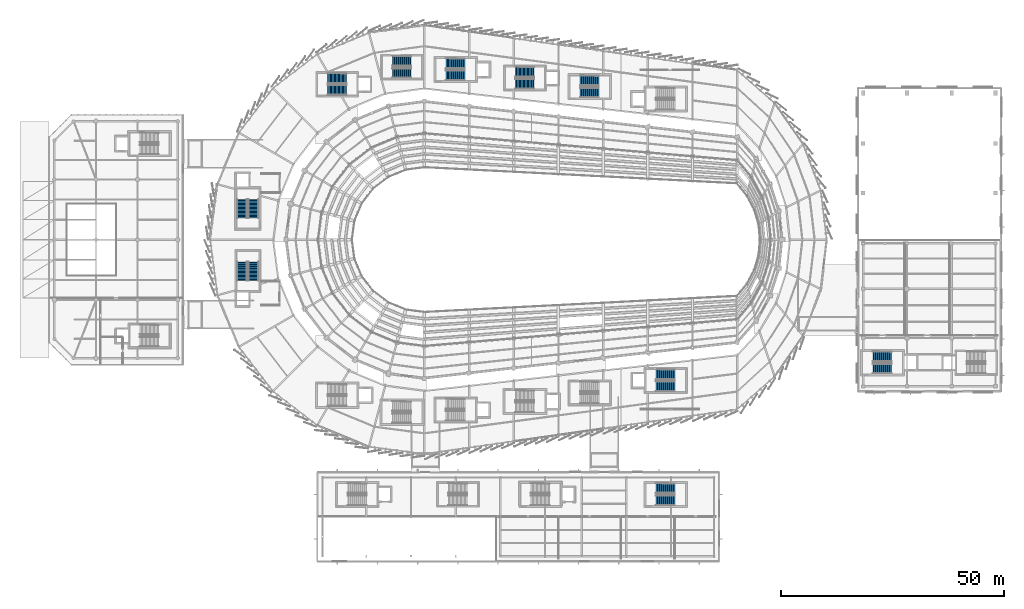
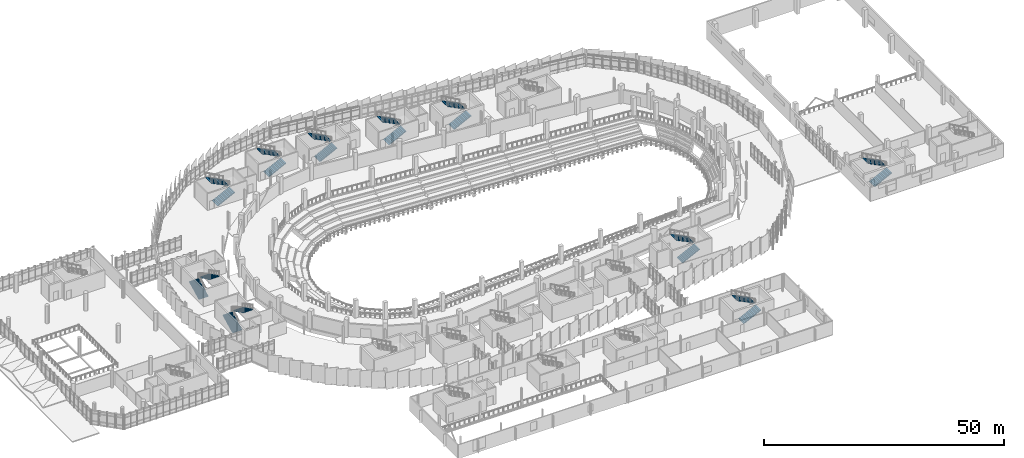
# One storey, part 118 of 134: 20 stair flights, 10 elements without a shape of their own.
"""IFC4 building model written with IfcOpenShell, lengths in metres."""

from ifc_helpers import new_model, si_unit, direction, frame, origin, place, context, subcontext, project, spatial, polyline, outline, extrude, material, type_object, element, aggregate, save


model = new_model("IFC4")

# Units and contexts
model_context = context("Model", 3, precision=1e-05, world=origin(), true_north=direction((0.0, 1.0)))
body_context = subcontext(model_context, "Body", "Model", "MODEL_VIEW")
ifc_project = project(units=[si_unit("LENGTHUNIT", "METRE"), si_unit("AREAUNIT", "SQUARE_METRE"), si_unit("VOLUMEUNIT", "CUBIC_METRE"), si_unit("PLANEANGLEUNIT", "RADIAN"), si_unit("MASSUNIT", "GRAM", prefix="KILO")], contexts=[model_context])

# Site, building, storey
site_placement = place(None, origin())
site = spatial("IfcSite", under=ifc_project, at=site_placement, CompositionType="ELEMENT")
building_placement = place(site_placement, origin())
building = spatial("IfcBuilding", under=site, at=building_placement, Name="Sohan Crest Arena", CompositionType="ELEMENT")
storey_placement = place(building_placement, frame((0.0, 0.0, 4.5)))
storey = spatial("IfcBuildingStorey", under=building, at=storey_placement, Name="L01", CompositionType="ELEMENT", Elevation=4.5)

# Stair, stair flights
ifc_material = material(Name="Concrete C40/50", Category="concrete")
stair_type_1 = type_object("IfcStairType", Name="ST-450W", PredefinedType="TWO_STRAIGHT_RUN_STAIR", material=ifc_material)
stair_1_placement = place(storey_placement, origin())
stair_1 = element("IfcStair", 1, at=stair_1_placement, inside=storey, type_object=stair_type_1, Name="Protected exit stair ST11-L01", PredefinedType="TWO_STRAIGHT_RUN_STAIR")
stair_flight_type_1 = type_object("IfcStairFlightType", Name="FL-220-15", PredefinedType="STRAIGHT", material=ifc_material)
stair_flight_1_placement = place(storey_placement, frame((149.85009765625, 19.64990234375, 0.0), z_axis=(0.0, 0.0, 1.0), x_axis=(1.0, 0.0, 0.0)))
stair_flight_1 = element("IfcStairFlight", 2, at=stair_flight_1_placement, type_object=stair_flight_type_1, Name="ST11-L01 flight 1", NumberOfRisers=15, NumberOfTreads=14, PredefinedType="STRAIGHT", RiserHeight=0.15, TreadLength=0.3, context=body_context, shape_type="SweptSolid", body=[
    extrude(outline(polyline([(0.0, 0.0), (0.0, 0.14990234375), (0.300048828125, 0.14990234375), (0.300048828125, 0.300048828125), (0.60009765625, 0.300048828125), (0.60009765625, 0.449951171875), (0.89990234375, 0.449951171875), (0.89990234375, 0.60009765625), (1.199951171875, 0.60009765625), (1.199951171875, 0.75), (1.5, 0.75), (1.5, 0.89990234375), (1.800048828125, 0.89990234375), (1.800048828125, 1.050048828125), (2.10009765625, 1.050048828125), (2.10009765625, 1.199951171875), (2.39990234375, 1.199951171875), (2.39990234375, 1.35009765625), (2.699951171875, 1.35009765625), (2.699951171875, 1.5), (3.0, 1.5), (3.0, 1.64990234375), (3.300048828125, 1.64990234375), (3.300048828125, 1.800048828125), (3.60009765625, 1.800048828125), (3.60009765625, 1.949951171875), (3.89990234375, 1.949951171875), (3.89990234375, 2.10009765625), (4.199951171875, 2.10009765625), (4.199951171875, 2.25), (4.199951171875, 1.932373046875), (0.335205078125, 0.0), (0.0, 0.0)])), frame((0.0, 1.10009765625, 0.0), z_axis=(0.0, -1.0, 0.0), x_axis=(1.0, 0.0, 0.0)), (0.0, 0.0, 1.0), 2.199951171875),
])
stair_flight_2_placement = place(storey_placement, frame((154.050048828125, 22.35009765625, 2.25), z_axis=(0.0, 0.0, 1.0), x_axis=(-1.0, 0.0, 0.0)))
stair_flight_2 = element("IfcStairFlight", 3, at=stair_flight_2_placement, type_object=stair_flight_type_1, Name="ST11-L01 flight 2", NumberOfRisers=15, NumberOfTreads=14, PredefinedType="STRAIGHT", RiserHeight=0.15, TreadLength=0.3, context=body_context, shape_type="SweptSolid", body=[
    extrude(outline(polyline([(0.0, 0.0), (0.0, 0.14990234375), (0.300048828125, 0.14990234375), (0.300048828125, 0.300048828125), (0.60009765625, 0.300048828125), (0.60009765625, 0.449951171875), (0.89990234375, 0.449951171875), (0.89990234375, 0.60009765625), (1.199951171875, 0.60009765625), (1.199951171875, 0.75), (1.5, 0.75), (1.5, 0.89990234375), (1.800048828125, 0.89990234375), (1.800048828125, 1.050048828125), (2.10009765625, 1.050048828125), (2.10009765625, 1.199951171875), (2.39990234375, 1.199951171875), (2.39990234375, 1.35009765625), (2.699951171875, 1.35009765625), (2.699951171875, 1.5), (3.0, 1.5), (3.0, 1.64990234375), (3.300048828125, 1.64990234375), (3.300048828125, 1.800048828125), (3.60009765625, 1.800048828125), (3.60009765625, 1.949951171875), (3.89990234375, 1.949951171875), (3.89990234375, 2.10009765625), (4.199951171875, 2.10009765625), (4.199951171875, 2.25), (4.199951171875, 1.932373046875), (0.335205078125, 0.0), (0.0, 0.0)])), frame((0.0, 1.10009765625, 0.0), z_axis=(0.0, -1.0, 0.0), x_axis=(1.0, 0.0, 0.0)), (0.0, 0.0, 1.0), 2.199951171875),
])
aggregate(stair_1, [stair_flight_1, stair_flight_2])

stair_2_placement = place(storey_placement, origin())
stair_2 = element("IfcStair", 4, at=stair_2_placement, inside=storey, type_object=stair_type_1, Name="Protected exit stair ST15-L01", PredefinedType="TWO_STRAIGHT_RUN_STAIR")
stair_flight_3_placement = place(storey_placement, frame((198.35009765625, 49.14990234375, 0.0), z_axis=(0.0, 0.0, 1.0), x_axis=(1.0, 0.0, 0.0)))
stair_flight_3 = element("IfcStairFlight", 5, at=stair_flight_3_placement, type_object=stair_flight_type_1, Name="ST15-L01 flight 1", NumberOfRisers=15, NumberOfTreads=14, PredefinedType="STRAIGHT", RiserHeight=0.15, TreadLength=0.3, context=body_context, shape_type="SweptSolid", body=[
    extrude(outline(polyline([(0.0, 0.0), (0.0, 0.14990234375), (0.300048828125, 0.14990234375), (0.300048828125, 0.300048828125), (0.60009765625, 0.300048828125), (0.60009765625, 0.449951171875), (0.89990234375, 0.449951171875), (0.89990234375, 0.60009765625), (1.199951171875, 0.60009765625), (1.199951171875, 0.75), (1.5, 0.75), (1.5, 0.89990234375), (1.800048828125, 0.89990234375), (1.800048828125, 1.050048828125), (2.10009765625, 1.050048828125), (2.10009765625, 1.199951171875), (2.39990234375, 1.199951171875), (2.39990234375, 1.35009765625), (2.699951171875, 1.35009765625), (2.699951171875, 1.5), (3.0, 1.5), (3.0, 1.64990234375), (3.300048828125, 1.64990234375), (3.300048828125, 1.800048828125), (3.60009765625, 1.800048828125), (3.60009765625, 1.949951171875), (3.89990234375, 1.949951171875), (3.89990234375, 2.10009765625), (4.199951171875, 2.10009765625), (4.199951171875, 2.25), (4.199951171875, 1.932373046875), (0.335205078125, 0.0), (0.0, 0.0)])), frame((0.0, 1.10009765625, 0.0), z_axis=(0.0, -1.0, 0.0), x_axis=(1.0, 0.0, 0.0)), (0.0, 0.0, 1.0), 2.199951171875),
])
stair_flight_4_placement = place(storey_placement, frame((202.550048828125, 51.85009765625, 2.25), z_axis=(0.0, 0.0, 1.0), x_axis=(-1.0, 0.0, 0.0)))
stair_flight_4 = element("IfcStairFlight", 6, at=stair_flight_4_placement, type_object=stair_flight_type_1, Name="ST15-L01 flight 2", NumberOfRisers=15, NumberOfTreads=14, PredefinedType="STRAIGHT", RiserHeight=0.15, TreadLength=0.3, context=body_context, shape_type="SweptSolid", body=[
    extrude(outline(polyline([(0.0, 0.0), (0.0, 0.14990234375), (0.300048828125, 0.14990234375), (0.300048828125, 0.300048828125), (0.60009765625, 0.300048828125), (0.60009765625, 0.449951171875), (0.89990234375, 0.449951171875), (0.89990234375, 0.60009765625), (1.199951171875, 0.60009765625), (1.199951171875, 0.75), (1.5, 0.75), (1.5, 0.89990234375), (1.800048828125, 0.89990234375), (1.800048828125, 1.050048828125), (2.10009765625, 1.050048828125), (2.10009765625, 1.199951171875), (2.39990234375, 1.199951171875), (2.39990234375, 1.35009765625), (2.699951171875, 1.35009765625), (2.699951171875, 1.5), (3.0, 1.5), (3.0, 1.64990234375), (3.300048828125, 1.64990234375), (3.300048828125, 1.800048828125), (3.60009765625, 1.800048828125), (3.60009765625, 1.949951171875), (3.89990234375, 1.949951171875), (3.89990234375, 2.10009765625), (4.199951171875, 2.10009765625), (4.199951171875, 2.25), (4.199951171875, 1.932373046875), (0.335205078125, 0.0), (0.0, 0.0)])), frame((0.0, 1.10009765625, 0.0), z_axis=(0.0, -1.0, 0.0), x_axis=(1.0, 0.0, 0.0)), (0.0, 0.0, 1.0), 2.199951171875),
])
aggregate(stair_2, [stair_flight_3, stair_flight_4])

stair_3_placement = place(storey_placement, origin())
stair_3 = element("IfcStair", 7, at=stair_3_placement, inside=storey, type_object=stair_type_1, Name="Protected exit stair ST20-L01", PredefinedType="TWO_STRAIGHT_RUN_STAIR")
stair_flight_5_placement = place(storey_placement, frame((90.85009765625, 115.2900390625, 0.0), z_axis=(0.0, 0.0, 1.0), x_axis=(1.0, 0.0, 0.0)))
stair_flight_5 = element("IfcStairFlight", 8, at=stair_flight_5_placement, type_object=stair_flight_type_1, Name="ST20-L01 flight 1", NumberOfRisers=15, NumberOfTreads=14, PredefinedType="STRAIGHT", RiserHeight=0.15, TreadLength=0.3, context=body_context, shape_type="SweptSolid", body=[
    extrude(outline(polyline([(0.0, 0.0), (0.0, 0.14990234375), (0.300048828125, 0.14990234375), (0.300048828125, 0.300048828125), (0.60009765625, 0.300048828125), (0.60009765625, 0.449951171875), (0.89990234375, 0.449951171875), (0.89990234375, 0.60009765625), (1.199951171875, 0.60009765625), (1.199951171875, 0.75), (1.5, 0.75), (1.5, 0.89990234375), (1.800048828125, 0.89990234375), (1.800048828125, 1.050048828125), (2.10009765625, 1.050048828125), (2.10009765625, 1.199951171875), (2.39990234375, 1.199951171875), (2.39990234375, 1.35009765625), (2.699951171875, 1.35009765625), (2.699951171875, 1.5), (3.0, 1.5), (3.0, 1.64990234375), (3.300048828125, 1.64990234375), (3.300048828125, 1.800048828125), (3.60009765625, 1.800048828125), (3.60009765625, 1.949951171875), (3.89990234375, 1.949951171875), (3.89990234375, 2.10009765625), (4.199951171875, 2.10009765625), (4.199951171875, 2.25), (4.199951171875, 1.932373046875), (0.335205078125, 0.0), (0.0, 0.0)])), frame((0.0, 1.10009765625, 0.0), z_axis=(0.0, -1.0, 0.0), x_axis=(1.0, 0.0, 0.0)), (0.0, 0.0, 1.0), 2.199951171875),
])
stair_flight_6_placement = place(storey_placement, frame((95.050048828125, 117.989990234375, 2.25), z_axis=(0.0, 0.0, 1.0), x_axis=(-1.0, 0.0, 0.0)))
stair_flight_6 = element("IfcStairFlight", 9, at=stair_flight_6_placement, type_object=stair_flight_type_1, Name="ST20-L01 flight 2", NumberOfRisers=15, NumberOfTreads=14, PredefinedType="STRAIGHT", RiserHeight=0.15, TreadLength=0.3, context=body_context, shape_type="SweptSolid", body=[
    extrude(outline(polyline([(0.0, 0.0), (0.0, 0.14990234375), (0.300048828125, 0.14990234375), (0.300048828125, 0.300048828125), (0.60009765625, 0.300048828125), (0.60009765625, 0.449951171875), (0.89990234375, 0.449951171875), (0.89990234375, 0.60009765625), (1.199951171875, 0.60009765625), (1.199951171875, 0.75), (1.5, 0.75), (1.5, 0.89990234375), (1.800048828125, 0.89990234375), (1.800048828125, 1.050048828125), (2.10009765625, 1.050048828125), (2.10009765625, 1.199951171875), (2.39990234375, 1.199951171875), (2.39990234375, 1.35009765625), (2.699951171875, 1.35009765625), (2.699951171875, 1.5), (3.0, 1.5), (3.0, 1.64990234375), (3.300048828125, 1.64990234375), (3.300048828125, 1.800048828125), (3.60009765625, 1.800048828125), (3.60009765625, 1.949951171875), (3.89990234375, 1.949951171875), (3.89990234375, 2.10009765625), (4.199951171875, 2.10009765625), (4.199951171875, 2.25), (4.199951171875, 1.932373046875), (0.335205078125, 0.0), (0.0, 0.0)])), frame((0.0, 1.10009765625, 0.0), z_axis=(0.0, -1.0, 0.0), x_axis=(1.0, 0.0, 0.0)), (0.0, 0.0, 1.0), 2.199951171875),
])
aggregate(stair_3, [stair_flight_5, stair_flight_6])

stair_4_placement = place(storey_placement, origin())
stair_4 = element("IfcStair", 10, at=stair_4_placement, inside=storey, type_object=stair_type_1, Name="Protected exit stair ST22-L01", PredefinedType="TWO_STRAIGHT_RUN_STAIR")
stair_flight_7_placement = place(storey_placement, frame((132.85009765625, 110.89990234375, 0.0), z_axis=(0.0, 0.0, 1.0), x_axis=(1.0, 0.0, 0.0)))
stair_flight_7 = element("IfcStairFlight", 11, at=stair_flight_7_placement, type_object=stair_flight_type_1, Name="ST22-L01 flight 1", NumberOfRisers=15, NumberOfTreads=14, PredefinedType="STRAIGHT", RiserHeight=0.15, TreadLength=0.3, context=body_context, shape_type="SweptSolid", body=[
    extrude(outline(polyline([(0.0, 0.0), (0.0, 0.14990234375), (0.300048828125, 0.14990234375), (0.300048828125, 0.300048828125), (0.60009765625, 0.300048828125), (0.60009765625, 0.449951171875), (0.89990234375, 0.449951171875), (0.89990234375, 0.60009765625), (1.199951171875, 0.60009765625), (1.199951171875, 0.75), (1.5, 0.75), (1.5, 0.89990234375), (1.800048828125, 0.89990234375), (1.800048828125, 1.050048828125), (2.10009765625, 1.050048828125), (2.10009765625, 1.199951171875), (2.39990234375, 1.199951171875), (2.39990234375, 1.35009765625), (2.699951171875, 1.35009765625), (2.699951171875, 1.5), (3.0, 1.5), (3.0, 1.64990234375), (3.300048828125, 1.64990234375), (3.300048828125, 1.800048828125), (3.60009765625, 1.800048828125), (3.60009765625, 1.949951171875), (3.89990234375, 1.949951171875), (3.89990234375, 2.10009765625), (4.199951171875, 2.10009765625), (4.199951171875, 2.25), (4.199951171875, 1.932373046875), (0.335205078125, 0.0), (0.0, 0.0)])), frame((0.0, 1.10009765625, 0.0), z_axis=(0.0, -1.0, 0.0), x_axis=(1.0, 0.0, 0.0)), (0.0, 0.0, 1.0), 2.199951171875),
])
stair_flight_8_placement = place(storey_placement, frame((137.050048828125, 113.60009765625, 2.25), z_axis=(0.0, 0.0, 1.0), x_axis=(-1.0, 0.0, 0.0)))
stair_flight_8 = element("IfcStairFlight", 12, at=stair_flight_8_placement, type_object=stair_flight_type_1, Name="ST22-L01 flight 2", NumberOfRisers=15, NumberOfTreads=14, PredefinedType="STRAIGHT", RiserHeight=0.15, TreadLength=0.3, context=body_context, shape_type="SweptSolid", body=[
    extrude(outline(polyline([(0.0, 0.0), (0.0, 0.14990234375), (0.300048828125, 0.14990234375), (0.300048828125, 0.300048828125), (0.60009765625, 0.300048828125), (0.60009765625, 0.449951171875), (0.89990234375, 0.449951171875), (0.89990234375, 0.60009765625), (1.199951171875, 0.60009765625), (1.199951171875, 0.75), (1.5, 0.75), (1.5, 0.89990234375), (1.800048828125, 0.89990234375), (1.800048828125, 1.050048828125), (2.10009765625, 1.050048828125), (2.10009765625, 1.199951171875), (2.39990234375, 1.199951171875), (2.39990234375, 1.35009765625), (2.699951171875, 1.35009765625), (2.699951171875, 1.5), (3.0, 1.5), (3.0, 1.64990234375), (3.300048828125, 1.64990234375), (3.300048828125, 1.800048828125), (3.60009765625, 1.800048828125), (3.60009765625, 1.949951171875), (3.89990234375, 1.949951171875), (3.89990234375, 2.10009765625), (4.199951171875, 2.10009765625), (4.199951171875, 2.25), (4.199951171875, 1.932373046875), (0.335205078125, 0.0), (0.0, 0.0)])), frame((0.0, 1.10009765625, 0.0), z_axis=(0.0, -1.0, 0.0), x_axis=(1.0, 0.0, 0.0)), (0.0, 0.0, 1.0), 2.199951171875),
])
aggregate(stair_4, [stair_flight_7, stair_flight_8])

stair_type_2 = type_object("IfcStairType", Name="ST-450", PredefinedType="TWO_STRAIGHT_RUN_STAIR", material=ifc_material)
stair_5_placement = place(storey_placement, origin())
stair_5 = element("IfcStair", 13, at=stair_5_placement, inside=storey, type_object=stair_type_2, Name="Protected exit stair ST01-L01", PredefinedType="TWO_STRAIGHT_RUN_STAIR")
stair_flight_type_2 = type_object("IfcStairFlightType", Name="FL-260-15", PredefinedType="STRAIGHT", material=ifc_material)
stair_flight_9_placement = place(storey_placement, frame((57.199951171875, 68.85009765625, 0.0), z_axis=(0.0, 0.0, 1.0), x_axis=(0.0, 1.0, 0.0)))
stair_flight_9 = element("IfcStairFlight", 14, at=stair_flight_9_placement, type_object=stair_flight_type_2, Name="ST01-L01 flight 1", NumberOfRisers=15, NumberOfTreads=14, PredefinedType="STRAIGHT", RiserHeight=0.15, TreadLength=0.3, context=body_context, shape_type="SweptSolid", body=[
    extrude(outline(polyline([(0.0, 0.0), (0.0, 0.14990234375), (0.300048828125, 0.14990234375), (0.300048828125, 0.300048828125), (0.60009765625, 0.300048828125), (0.60009765625, 0.449951171875), (0.89990234375, 0.449951171875), (0.89990234375, 0.60009765625), (1.199951171875, 0.60009765625), (1.199951171875, 0.75), (1.5, 0.75), (1.5, 0.89990234375), (1.800048828125, 0.89990234375), (1.800048828125, 1.050048828125), (2.10009765625, 1.050048828125), (2.10009765625, 1.199951171875), (2.39990234375, 1.199951171875), (2.39990234375, 1.35009765625), (2.699951171875, 1.35009765625), (2.699951171875, 1.5), (3.0, 1.5), (3.0, 1.64990234375), (3.300048828125, 1.64990234375), (3.300048828125, 1.800048828125), (3.60009765625, 1.800048828125), (3.60009765625, 1.949951171875), (3.89990234375, 1.949951171875), (3.89990234375, 2.10009765625), (4.199951171875, 2.10009765625), (4.199951171875, 2.25), (4.199951171875, 1.932373046875), (0.335205078125, 0.0), (0.0, 0.0)])), frame((0.0, 1.14990234375, 0.0), z_axis=(0.0, -1.0, 0.0), x_axis=(1.0, 0.0, 0.0)), (0.0, 0.0, 1.0), 2.300048828125),
])
stair_flight_10_placement = place(storey_placement, frame((59.800048828125, 73.050048828125, 2.25), z_axis=(0.0, 0.0, 1.0), x_axis=(0.0, -1.0, 0.0)))
stair_flight_10 = element("IfcStairFlight", 15, at=stair_flight_10_placement, type_object=stair_flight_type_2, Name="ST01-L01 flight 2", NumberOfRisers=15, NumberOfTreads=14, PredefinedType="STRAIGHT", RiserHeight=0.15, TreadLength=0.3, context=body_context, shape_type="SweptSolid", body=[
    extrude(outline(polyline([(0.0, 0.0), (0.0, 0.14990234375), (0.300048828125, 0.14990234375), (0.300048828125, 0.300048828125), (0.60009765625, 0.300048828125), (0.60009765625, 0.449951171875), (0.89990234375, 0.449951171875), (0.89990234375, 0.60009765625), (1.199951171875, 0.60009765625), (1.199951171875, 0.75), (1.5, 0.75), (1.5, 0.89990234375), (1.800048828125, 0.89990234375), (1.800048828125, 1.050048828125), (2.10009765625, 1.050048828125), (2.10009765625, 1.199951171875), (2.39990234375, 1.199951171875), (2.39990234375, 1.35009765625), (2.699951171875, 1.35009765625), (2.699951171875, 1.5), (3.0, 1.5), (3.0, 1.64990234375), (3.300048828125, 1.64990234375), (3.300048828125, 1.800048828125), (3.60009765625, 1.800048828125), (3.60009765625, 1.949951171875), (3.89990234375, 1.949951171875), (3.89990234375, 2.10009765625), (4.199951171875, 2.10009765625), (4.199951171875, 2.25), (4.199951171875, 1.932373046875), (0.335205078125, 0.0), (0.0, 0.0)])), frame((0.0, 1.14990234375, 0.0), z_axis=(0.0, -1.0, 0.0), x_axis=(1.0, 0.0, 0.0)), (0.0, 0.0, 1.0), 2.300048828125),
])
aggregate(stair_5, [stair_flight_9, stair_flight_10])

stair_6_placement = place(storey_placement, origin())
stair_6 = element("IfcStair", 16, at=stair_6_placement, inside=storey, type_object=stair_type_2, Name="Protected exit stair ST02-L01", PredefinedType="TWO_STRAIGHT_RUN_STAIR")
stair_flight_11_placement = place(storey_placement, frame((57.199951171875, 82.85009765625, 0.0), z_axis=(0.0, 0.0, 1.0), x_axis=(0.0, 1.0, 0.0)))
stair_flight_11 = element("IfcStairFlight", 17, at=stair_flight_11_placement, type_object=stair_flight_type_2, Name="ST02-L01 flight 1", NumberOfRisers=15, NumberOfTreads=14, PredefinedType="STRAIGHT", RiserHeight=0.15, TreadLength=0.3, context=body_context, shape_type="SweptSolid", body=[
    extrude(outline(polyline([(0.0, 0.0), (0.0, 0.14990234375), (0.300048828125, 0.14990234375), (0.300048828125, 0.300048828125), (0.60009765625, 0.300048828125), (0.60009765625, 0.449951171875), (0.89990234375, 0.449951171875), (0.89990234375, 0.60009765625), (1.199951171875, 0.60009765625), (1.199951171875, 0.75), (1.5, 0.75), (1.5, 0.89990234375), (1.800048828125, 0.89990234375), (1.800048828125, 1.050048828125), (2.10009765625, 1.050048828125), (2.10009765625, 1.199951171875), (2.39990234375, 1.199951171875), (2.39990234375, 1.35009765625), (2.699951171875, 1.35009765625), (2.699951171875, 1.5), (3.0, 1.5), (3.0, 1.64990234375), (3.300048828125, 1.64990234375), (3.300048828125, 1.800048828125), (3.60009765625, 1.800048828125), (3.60009765625, 1.949951171875), (3.89990234375, 1.949951171875), (3.89990234375, 2.10009765625), (4.199951171875, 2.10009765625), (4.199951171875, 2.25), (4.199951171875, 1.932373046875), (0.335205078125, 0.0), (0.0, 0.0)])), frame((0.0, 1.14990234375, 0.0), z_axis=(0.0, -1.0, 0.0), x_axis=(1.0, 0.0, 0.0)), (0.0, 0.0, 1.0), 2.300048828125),
])
stair_flight_12_placement = place(storey_placement, frame((59.800048828125, 87.050048828125, 2.25), z_axis=(0.0, 0.0, 1.0), x_axis=(0.0, -1.0, 0.0)))
stair_flight_12 = element("IfcStairFlight", 18, at=stair_flight_12_placement, type_object=stair_flight_type_2, Name="ST02-L01 flight 2", NumberOfRisers=15, NumberOfTreads=14, PredefinedType="STRAIGHT", RiserHeight=0.15, TreadLength=0.3, context=body_context, shape_type="SweptSolid", body=[
    extrude(outline(polyline([(0.0, 0.0), (0.0, 0.14990234375), (0.300048828125, 0.14990234375), (0.300048828125, 0.300048828125), (0.60009765625, 0.300048828125), (0.60009765625, 0.449951171875), (0.89990234375, 0.449951171875), (0.89990234375, 0.60009765625), (1.199951171875, 0.60009765625), (1.199951171875, 0.75), (1.5, 0.75), (1.5, 0.89990234375), (1.800048828125, 0.89990234375), (1.800048828125, 1.050048828125), (2.10009765625, 1.050048828125), (2.10009765625, 1.199951171875), (2.39990234375, 1.199951171875), (2.39990234375, 1.35009765625), (2.699951171875, 1.35009765625), (2.699951171875, 1.5), (3.0, 1.5), (3.0, 1.64990234375), (3.300048828125, 1.64990234375), (3.300048828125, 1.800048828125), (3.60009765625, 1.800048828125), (3.60009765625, 1.949951171875), (3.89990234375, 1.949951171875), (3.89990234375, 2.10009765625), (4.199951171875, 2.10009765625), (4.199951171875, 2.25), (4.199951171875, 1.932373046875), (0.335205078125, 0.0), (0.0, 0.0)])), frame((0.0, 1.14990234375, 0.0), z_axis=(0.0, -1.0, 0.0), x_axis=(1.0, 0.0, 0.0)), (0.0, 0.0, 1.0), 2.300048828125),
])
aggregate(stair_6, [stair_flight_11, stair_flight_12])

stair_7_placement = place(storey_placement, origin())
stair_7 = element("IfcStair", 19, at=stair_7_placement, inside=storey, type_object=stair_type_2, Name="Protected exit stair ST04-L01", PredefinedType="TWO_STRAIGHT_RUN_STAIR")
stair_flight_13_placement = place(storey_placement, frame((76.35009765625, 111.5, 0.0), z_axis=(0.0, 0.0, 1.0), x_axis=(1.0, 0.0, 0.0)))
stair_flight_13 = element("IfcStairFlight", 20, at=stair_flight_13_placement, type_object=stair_flight_type_2, Name="ST04-L01 flight 1", NumberOfRisers=15, NumberOfTreads=14, PredefinedType="STRAIGHT", RiserHeight=0.15, TreadLength=0.3, context=body_context, shape_type="SweptSolid", body=[
    extrude(outline(polyline([(0.0, 0.0), (0.0, 0.14990234375), (0.300048828125, 0.14990234375), (0.300048828125, 0.300048828125), (0.60009765625, 0.300048828125), (0.60009765625, 0.449951171875), (0.89990234375, 0.449951171875), (0.89990234375, 0.60009765625), (1.199951171875, 0.60009765625), (1.199951171875, 0.75), (1.5, 0.75), (1.5, 0.89990234375), (1.800048828125, 0.89990234375), (1.800048828125, 1.050048828125), (2.10009765625, 1.050048828125), (2.10009765625, 1.199951171875), (2.39990234375, 1.199951171875), (2.39990234375, 1.35009765625), (2.699951171875, 1.35009765625), (2.699951171875, 1.5), (3.0, 1.5), (3.0, 1.64990234375), (3.300048828125, 1.64990234375), (3.300048828125, 1.800048828125), (3.60009765625, 1.800048828125), (3.60009765625, 1.949951171875), (3.89990234375, 1.949951171875), (3.89990234375, 2.10009765625), (4.199951171875, 2.10009765625), (4.199951171875, 2.25), (4.199951171875, 1.932373046875), (0.335205078125, 0.0), (0.0, 0.0)])), frame((0.0, 1.14990234375, 0.0), z_axis=(0.0, -1.0, 0.0), x_axis=(1.0, 0.0, 0.0)), (0.0, 0.0, 1.0), 2.300048828125),
])
stair_flight_14_placement = place(storey_placement, frame((80.550048828125, 114.10009765625, 2.25), z_axis=(0.0, 0.0, 1.0), x_axis=(-1.0, 0.0, 0.0)))
stair_flight_14 = element("IfcStairFlight", 21, at=stair_flight_14_placement, type_object=stair_flight_type_2, Name="ST04-L01 flight 2", NumberOfRisers=15, NumberOfTreads=14, PredefinedType="STRAIGHT", RiserHeight=0.15, TreadLength=0.3, context=body_context, shape_type="SweptSolid", body=[
    extrude(outline(polyline([(0.0, 0.0), (0.0, 0.14990234375), (0.300048828125, 0.14990234375), (0.300048828125, 0.300048828125), (0.60009765625, 0.300048828125), (0.60009765625, 0.449951171875), (0.89990234375, 0.449951171875), (0.89990234375, 0.60009765625), (1.199951171875, 0.60009765625), (1.199951171875, 0.75), (1.5, 0.75), (1.5, 0.89990234375), (1.800048828125, 0.89990234375), (1.800048828125, 1.050048828125), (2.10009765625, 1.050048828125), (2.10009765625, 1.199951171875), (2.39990234375, 1.199951171875), (2.39990234375, 1.35009765625), (2.699951171875, 1.35009765625), (2.699951171875, 1.5), (3.0, 1.5), (3.0, 1.64990234375), (3.300048828125, 1.64990234375), (3.300048828125, 1.800048828125), (3.60009765625, 1.800048828125), (3.60009765625, 1.949951171875), (3.89990234375, 1.949951171875), (3.89990234375, 2.10009765625), (4.199951171875, 2.10009765625), (4.199951171875, 2.25), (4.199951171875, 1.932373046875), (0.335205078125, 0.0), (0.0, 0.0)])), frame((0.0, 1.14990234375, 0.0), z_axis=(0.0, -1.0, 0.0), x_axis=(1.0, 0.0, 0.0)), (0.0, 0.0, 1.0), 2.300048828125),
])
aggregate(stair_7, [stair_flight_13, stair_flight_14])

stair_8_placement = place(storey_placement, origin())
stair_8 = element("IfcStair", 22, at=stair_8_placement, inside=storey, type_object=stair_type_2, Name="Protected exit stair ST06-L01", PredefinedType="TWO_STRAIGHT_RUN_STAIR")
stair_flight_15_placement = place(storey_placement, frame((102.85009765625, 114.800048828125, 0.0), z_axis=(0.0, 0.0, 1.0), x_axis=(1.0, 0.0, 0.0)))
stair_flight_15 = element("IfcStairFlight", 23, at=stair_flight_15_placement, type_object=stair_flight_type_2, Name="ST06-L01 flight 1", NumberOfRisers=15, NumberOfTreads=14, PredefinedType="STRAIGHT", RiserHeight=0.15, TreadLength=0.3, context=body_context, shape_type="SweptSolid", body=[
    extrude(outline(polyline([(0.0, 0.0), (0.0, 0.14990234375), (0.300048828125, 0.14990234375), (0.300048828125, 0.300048828125), (0.60009765625, 0.300048828125), (0.60009765625, 0.449951171875), (0.89990234375, 0.449951171875), (0.89990234375, 0.60009765625), (1.199951171875, 0.60009765625), (1.199951171875, 0.75), (1.5, 0.75), (1.5, 0.89990234375), (1.800048828125, 0.89990234375), (1.800048828125, 1.050048828125), (2.10009765625, 1.050048828125), (2.10009765625, 1.199951171875), (2.39990234375, 1.199951171875), (2.39990234375, 1.35009765625), (2.699951171875, 1.35009765625), (2.699951171875, 1.5), (3.0, 1.5), (3.0, 1.64990234375), (3.300048828125, 1.64990234375), (3.300048828125, 1.800048828125), (3.60009765625, 1.800048828125), (3.60009765625, 1.949951171875), (3.89990234375, 1.949951171875), (3.89990234375, 2.10009765625), (4.199951171875, 2.10009765625), (4.199951171875, 2.25), (4.199951171875, 1.932373046875), (0.335205078125, 0.0), (0.0, 0.0)])), frame((0.0, 1.14990234375, 0.0), z_axis=(0.0, -1.0, 0.0), x_axis=(1.0, 0.0, 0.0)), (0.0, 0.0, 1.0), 2.300048828125),
])
stair_flight_16_placement = place(storey_placement, frame((107.050048828125, 117.39990234375, 2.25), z_axis=(0.0, 0.0, 1.0), x_axis=(-1.0, 0.0, 0.0)))
stair_flight_16 = element("IfcStairFlight", 24, at=stair_flight_16_placement, type_object=stair_flight_type_2, Name="ST06-L01 flight 2", NumberOfRisers=15, NumberOfTreads=14, PredefinedType="STRAIGHT", RiserHeight=0.15, TreadLength=0.3, context=body_context, shape_type="SweptSolid", body=[
    extrude(outline(polyline([(0.0, 0.0), (0.0, 0.14990234375), (0.300048828125, 0.14990234375), (0.300048828125, 0.300048828125), (0.60009765625, 0.300048828125), (0.60009765625, 0.449951171875), (0.89990234375, 0.449951171875), (0.89990234375, 0.60009765625), (1.199951171875, 0.60009765625), (1.199951171875, 0.75), (1.5, 0.75), (1.5, 0.89990234375), (1.800048828125, 0.89990234375), (1.800048828125, 1.050048828125), (2.10009765625, 1.050048828125), (2.10009765625, 1.199951171875), (2.39990234375, 1.199951171875), (2.39990234375, 1.35009765625), (2.699951171875, 1.35009765625), (2.699951171875, 1.5), (3.0, 1.5), (3.0, 1.64990234375), (3.300048828125, 1.64990234375), (3.300048828125, 1.800048828125), (3.60009765625, 1.800048828125), (3.60009765625, 1.949951171875), (3.89990234375, 1.949951171875), (3.89990234375, 2.10009765625), (4.199951171875, 2.10009765625), (4.199951171875, 2.25), (4.199951171875, 1.932373046875), (0.335205078125, 0.0), (0.0, 0.0)])), frame((0.0, 1.14990234375, 0.0), z_axis=(0.0, -1.0, 0.0), x_axis=(1.0, 0.0, 0.0)), (0.0, 0.0, 1.0), 2.300048828125),
])
aggregate(stair_8, [stair_flight_15, stair_flight_16])

stair_9_placement = place(storey_placement, origin())
stair_9 = element("IfcStair", 25, at=stair_9_placement, inside=storey, type_object=stair_type_2, Name="Protected exit stair ST08-L01", PredefinedType="TWO_STRAIGHT_RUN_STAIR")
stair_flight_17_placement = place(storey_placement, frame((118.35009765625, 112.89990234375, 0.0), z_axis=(0.0, 0.0, 1.0), x_axis=(1.0, 0.0, 0.0)))
stair_flight_17 = element("IfcStairFlight", 26, at=stair_flight_17_placement, type_object=stair_flight_type_2, Name="ST08-L01 flight 1", NumberOfRisers=15, NumberOfTreads=14, PredefinedType="STRAIGHT", RiserHeight=0.15, TreadLength=0.3, context=body_context, shape_type="SweptSolid", body=[
    extrude(outline(polyline([(0.0, 0.0), (0.0, 0.14990234375), (0.300048828125, 0.14990234375), (0.300048828125, 0.300048828125), (0.60009765625, 0.300048828125), (0.60009765625, 0.449951171875), (0.89990234375, 0.449951171875), (0.89990234375, 0.60009765625), (1.199951171875, 0.60009765625), (1.199951171875, 0.75), (1.5, 0.75), (1.5, 0.89990234375), (1.800048828125, 0.89990234375), (1.800048828125, 1.050048828125), (2.10009765625, 1.050048828125), (2.10009765625, 1.199951171875), (2.39990234375, 1.199951171875), (2.39990234375, 1.35009765625), (2.699951171875, 1.35009765625), (2.699951171875, 1.5), (3.0, 1.5), (3.0, 1.64990234375), (3.300048828125, 1.64990234375), (3.300048828125, 1.800048828125), (3.60009765625, 1.800048828125), (3.60009765625, 1.949951171875), (3.89990234375, 1.949951171875), (3.89990234375, 2.10009765625), (4.199951171875, 2.10009765625), (4.199951171875, 2.25), (4.199951171875, 1.932373046875), (0.335205078125, 0.0), (0.0, 0.0)])), frame((0.0, 1.14990234375, 0.0), z_axis=(0.0, -1.0, 0.0), x_axis=(1.0, 0.0, 0.0)), (0.0, 0.0, 1.0), 2.300048828125),
])
stair_flight_18_placement = place(storey_placement, frame((122.550048828125, 115.5, 2.25), z_axis=(0.0, 0.0, 1.0), x_axis=(-1.0, 0.0, 0.0)))
stair_flight_18 = element("IfcStairFlight", 27, at=stair_flight_18_placement, type_object=stair_flight_type_2, Name="ST08-L01 flight 2", NumberOfRisers=15, NumberOfTreads=14, PredefinedType="STRAIGHT", RiserHeight=0.15, TreadLength=0.3, context=body_context, shape_type="SweptSolid", body=[
    extrude(outline(polyline([(0.0, 0.0), (0.0, 0.14990234375), (0.300048828125, 0.14990234375), (0.300048828125, 0.300048828125), (0.60009765625, 0.300048828125), (0.60009765625, 0.449951171875), (0.89990234375, 0.449951171875), (0.89990234375, 0.60009765625), (1.199951171875, 0.60009765625), (1.199951171875, 0.75), (1.5, 0.75), (1.5, 0.89990234375), (1.800048828125, 0.89990234375), (1.800048828125, 1.050048828125), (2.10009765625, 1.050048828125), (2.10009765625, 1.199951171875), (2.39990234375, 1.199951171875), (2.39990234375, 1.35009765625), (2.699951171875, 1.35009765625), (2.699951171875, 1.5), (3.0, 1.5), (3.0, 1.64990234375), (3.300048828125, 1.64990234375), (3.300048828125, 1.800048828125), (3.60009765625, 1.800048828125), (3.60009765625, 1.949951171875), (3.89990234375, 1.949951171875), (3.89990234375, 2.10009765625), (4.199951171875, 2.10009765625), (4.199951171875, 2.25), (4.199951171875, 1.932373046875), (0.335205078125, 0.0), (0.0, 0.0)])), frame((0.0, 1.14990234375, 0.0), z_axis=(0.0, -1.0, 0.0), x_axis=(1.0, 0.0, 0.0)), (0.0, 0.0, 1.0), 2.300048828125),
])
aggregate(stair_9, [stair_flight_17, stair_flight_18])

stair_10_placement = place(storey_placement, origin())
stair_10 = element("IfcStair", 28, at=stair_10_placement, inside=storey, type_object=stair_type_2, Name="Protected exit stair ST09-L01", PredefinedType="TWO_STRAIGHT_RUN_STAIR")
stair_flight_19_placement = place(storey_placement, frame((149.85009765625, 45.199951171875, 0.0), z_axis=(0.0, 0.0, 1.0), x_axis=(1.0, 0.0, 0.0)))
stair_flight_19 = element("IfcStairFlight", 29, at=stair_flight_19_placement, type_object=stair_flight_type_2, Name="ST09-L01 flight 1", NumberOfRisers=15, NumberOfTreads=14, PredefinedType="STRAIGHT", RiserHeight=0.15, TreadLength=0.3, context=body_context, shape_type="SweptSolid", body=[
    extrude(outline(polyline([(0.0, 0.0), (0.0, 0.14990234375), (0.300048828125, 0.14990234375), (0.300048828125, 0.300048828125), (0.60009765625, 0.300048828125), (0.60009765625, 0.449951171875), (0.89990234375, 0.449951171875), (0.89990234375, 0.60009765625), (1.199951171875, 0.60009765625), (1.199951171875, 0.75), (1.5, 0.75), (1.5, 0.89990234375), (1.800048828125, 0.89990234375), (1.800048828125, 1.050048828125), (2.10009765625, 1.050048828125), (2.10009765625, 1.199951171875), (2.39990234375, 1.199951171875), (2.39990234375, 1.35009765625), (2.699951171875, 1.35009765625), (2.699951171875, 1.5), (3.0, 1.5), (3.0, 1.64990234375), (3.300048828125, 1.64990234375), (3.300048828125, 1.800048828125), (3.60009765625, 1.800048828125), (3.60009765625, 1.949951171875), (3.89990234375, 1.949951171875), (3.89990234375, 2.10009765625), (4.199951171875, 2.10009765625), (4.199951171875, 2.25), (4.199951171875, 1.932373046875), (0.335205078125, 0.0), (0.0, 0.0)])), frame((0.0, 1.14990234375, 0.0), z_axis=(0.0, -1.0, 0.0), x_axis=(1.0, 0.0, 0.0)), (0.0, 0.0, 1.0), 2.300048828125),
])
stair_flight_20_placement = place(storey_placement, frame((154.050048828125, 47.800048828125, 2.25), z_axis=(0.0, 0.0, 1.0), x_axis=(-1.0, 0.0, 0.0)))
stair_flight_20 = element("IfcStairFlight", 30, at=stair_flight_20_placement, type_object=stair_flight_type_2, Name="ST09-L01 flight 2", NumberOfRisers=15, NumberOfTreads=14, PredefinedType="STRAIGHT", RiserHeight=0.15, TreadLength=0.3, context=body_context, shape_type="SweptSolid", body=[
    extrude(outline(polyline([(0.0, 0.0), (0.0, 0.14990234375), (0.300048828125, 0.14990234375), (0.300048828125, 0.300048828125), (0.60009765625, 0.300048828125), (0.60009765625, 0.449951171875), (0.89990234375, 0.449951171875), (0.89990234375, 0.60009765625), (1.199951171875, 0.60009765625), (1.199951171875, 0.75), (1.5, 0.75), (1.5, 0.89990234375), (1.800048828125, 0.89990234375), (1.800048828125, 1.050048828125), (2.10009765625, 1.050048828125), (2.10009765625, 1.199951171875), (2.39990234375, 1.199951171875), (2.39990234375, 1.35009765625), (2.699951171875, 1.35009765625), (2.699951171875, 1.5), (3.0, 1.5), (3.0, 1.64990234375), (3.300048828125, 1.64990234375), (3.300048828125, 1.800048828125), (3.60009765625, 1.800048828125), (3.60009765625, 1.949951171875), (3.89990234375, 1.949951171875), (3.89990234375, 2.10009765625), (4.199951171875, 2.10009765625), (4.199951171875, 2.25), (4.199951171875, 1.932373046875), (0.335205078125, 0.0), (0.0, 0.0)])), frame((0.0, 1.14990234375, 0.0), z_axis=(0.0, -1.0, 0.0), x_axis=(1.0, 0.0, 0.0)), (0.0, 0.0, 1.0), 2.300048828125),
])
aggregate(stair_10, [stair_flight_19, stair_flight_20])

save(model, "model.ifc")
